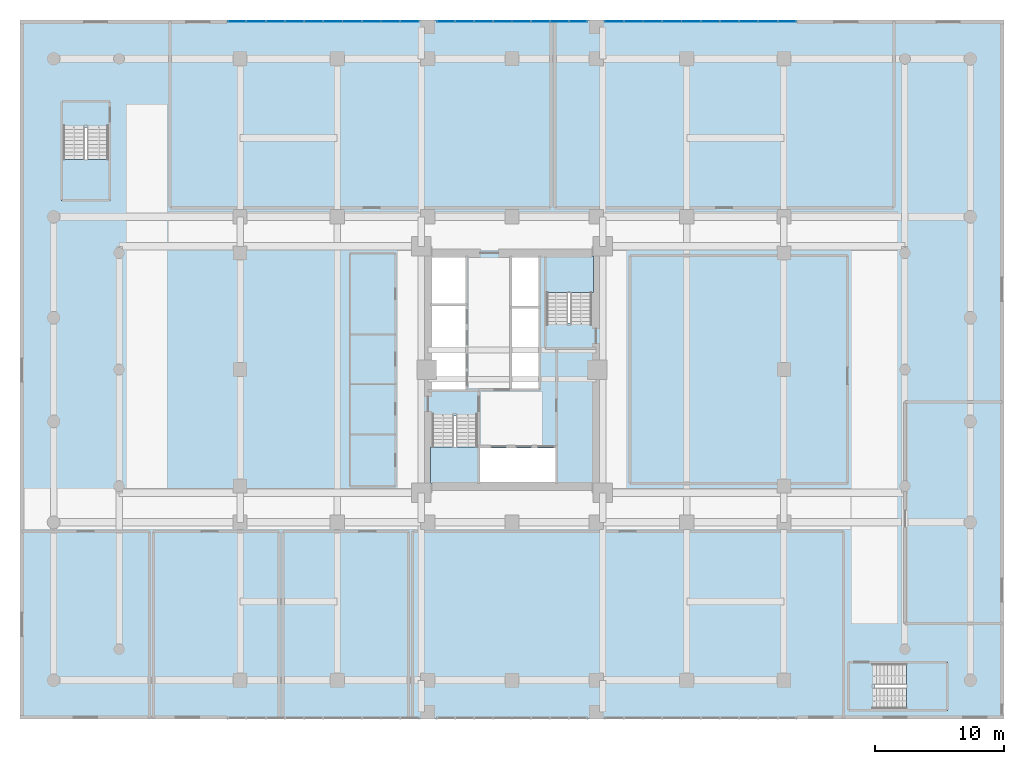
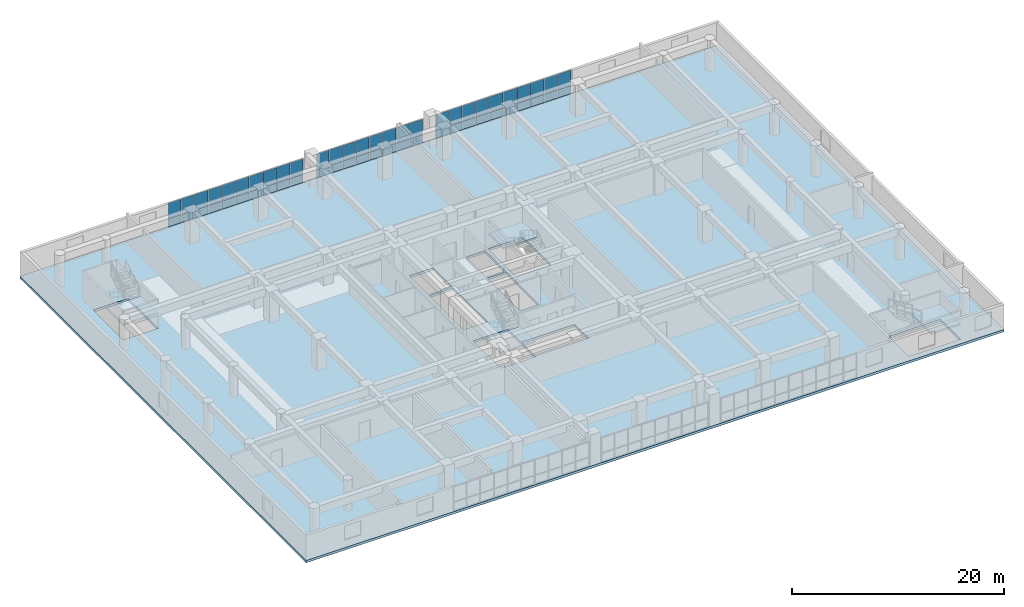
# One storey, part 17 of 30: 56 plates, 5 slabs, 7 elements without a shape of their own.
"""IFC4 building model written with IfcOpenShell, lengths in metres."""

from ifc_helpers import new_model, si_unit, direction, frame, origin, origin_2d, place, context, subcontext, project, spatial, polyline, rectangle, outline, extrude, source, transform, mapped, material, layer, layer_set, type_object, element, aggregate, save


model = new_model("IFC4")

# Units and contexts
model_context = context("Model", 3, precision=1e-05, world=origin(), true_north=direction((0.0, 1.0)))
body_context = subcontext(model_context, "Body", "Model", "MODEL_VIEW")
ifc_project = project(units=[si_unit("LENGTHUNIT", "METRE"), si_unit("AREAUNIT", "SQUARE_METRE"), si_unit("VOLUMEUNIT", "CUBIC_METRE"), si_unit("PLANEANGLEUNIT", "RADIAN"), si_unit("MASSUNIT", "GRAM", prefix="KILO")], contexts=[model_context])

# Site, building, storey
site_placement = place(None, origin())
site = spatial("IfcSite", under=ifc_project, at=site_placement, CompositionType="ELEMENT")
building_placement = place(site_placement, origin())
building = spatial("IfcBuilding", under=site, at=building_placement, Name="Saelheon Loggia Tower", CompositionType="ELEMENT")
storey_placement = place(building_placement, frame((0.0, 0.0, 7.800048828125)))
storey = spatial("IfcBuildingStorey", under=building, at=storey_placement, Name="L02", CompositionType="ELEMENT", Elevation=7.800048828125)

# Slab
ifc_material_1 = material(Name="Concrete C40/50", Category="concrete")
ifc_layer_1 = layer(ifc_material_1, 0.280029296875)
ifc_layer_set_1 = layer_set([ifc_layer_1], Name="Concrete C40/50")
slab_type_1 = type_object("IfcSlabType", Name="Slab_Podium_280", PredefinedType="FLOOR", material=ifc_layer_set_1)
slab_1_placement = place(storey_placement, frame((0.0, 0.0, -0.280029296875)))
element("IfcSlab", 1, at=slab_1_placement, inside=storey, type_object=slab_type_1, Name="L02 Podium Clinic Floor Slab", PredefinedType="FLOOR", context=body_context, shape_type="SweptSolid", body=[
    extrude(outline(polyline([(0.0, 0.0), (76.0, 0.0), (76.0, 54.0), (0.0, 54.0), (0.0, 0.0)]), holes=[polyline([(31.699951171875, 23.409912109375), (31.699951171875, 18.199951171875), (35.47998046875, 18.199951171875), (35.47998046875, 23.409912109375), (31.699951171875, 23.409912109375)]), polyline([(44.300048828125, 30.590087890625), (44.300048828125, 35.800048828125), (40.52001953125, 35.800048828125), (40.52001953125, 30.590087890625), (44.300048828125, 30.590087890625)]), polyline([(3.199951171875, 45.7099609375), (3.199951171875, 40.050048828125), (6.97998046875, 40.050048828125), (6.97998046875, 45.7099609375), (3.199951171875, 45.7099609375)]), polyline([(65.989990234375, 0.64990234375), (71.64990234375, 0.64990234375), (71.64990234375, 4.429931640625), (65.989990234375, 4.429931640625), (65.989990234375, 0.64990234375)]), polyline([(35.530029296875, 18.324951171875), (41.35009765625, 18.324951171875), (41.35009765625, 20.9599609375), (35.530029296875, 20.9599609375), (35.530029296875, 18.324951171875)]), polyline([(31.824951171875, 32.1201171875), (34.419921875, 32.1201171875), (34.419921875, 35.675048828125), (31.824951171875, 35.675048828125), (31.824951171875, 32.1201171875)]), polyline([(38.0, 31.89990234375), (40.050048828125, 31.89990234375), (40.050048828125, 35.675048828125), (38.0, 35.675048828125), (38.0, 31.89990234375)]), polyline([(31.824951171875, 25.449951171875), (34.419921875, 25.449951171875), (34.419921875, 31.919921875), (31.824951171875, 31.919921875), (31.824951171875, 25.449951171875)]), polyline([(38.0, 25.5400390625), (40.050048828125, 25.5400390625), (40.050048828125, 31.699951171875), (38.0, 31.699951171875), (38.0, 25.5400390625)])]), origin(), (0.0, 0.0, 1.0), 0.280029296875),
])

# Stair, slab
stair_type_1 = type_object("IfcStairType", Name="Stair_Escape_Core", PredefinedType="HALF_TURN_STAIR", material=ifc_material_1)
stair_1_placement = place(storey_placement, origin())
stair_1 = element("IfcStair", 2, at=stair_1_placement, inside=storey, type_object=stair_type_1, Name="L02 Special Escape Stair ST1", PredefinedType="HALF_TURN_STAIR")
ifc_layer_2 = layer(ifc_material_1, 0.199951171875)
ifc_layer_set_2 = layer_set([ifc_layer_2], Name="Concrete C40/50")
slab_type_2 = type_object("IfcSlabType", Name="Slab_StairLanding_ST1", PredefinedType="LANDING", material=ifc_layer_set_2)
slab_2_placement = place(storey_placement, frame((0.0, 0.0, 1.599853515625)))
slab_2 = element("IfcSlab", 3, at=slab_2_placement, type_object=slab_type_2, Name="ST1 landing 1", PredefinedType="LANDING", context=body_context, shape_type="SweptSolid", body=[
    extrude(outline(polyline([(31.7099609375, 21.030029296875), (31.7099609375, 18.2099609375), (35.469970703125, 18.2099609375), (35.469970703125, 21.030029296875), (31.7099609375, 21.030029296875)])), origin(), (0.0, 0.0, 1.0), 0.2001953125),
])
aggregate(stair_1, [slab_2])

stair_2_placement = place(storey_placement, origin())
stair_2 = element("IfcStair", 4, at=stair_2_placement, inside=storey, type_object=stair_type_1, Name="L02 Special Escape Stair ST2", PredefinedType="HALF_TURN_STAIR")
ifc_layer_3 = layer(ifc_material_1, 0.199951171875)
ifc_layer_set_3 = layer_set([ifc_layer_3], Name="Concrete C40/50")
slab_type_3 = type_object("IfcSlabType", Name="Slab_StairLanding_ST2", PredefinedType="LANDING", material=ifc_layer_set_3)
slab_3_placement = place(storey_placement, frame((0.0, 0.0, 1.599853515625)))
slab_3 = element("IfcSlab", 5, at=slab_3_placement, type_object=slab_type_3, Name="ST2 landing 1", PredefinedType="LANDING", context=body_context, shape_type="SweptSolid", body=[
    extrude(outline(polyline([(44.2900390625, 32.969970703125), (44.2900390625, 35.7900390625), (40.530029296875, 35.7900390625), (40.530029296875, 32.969970703125), (44.2900390625, 32.969970703125)])), origin(), (0.0, 0.0, 1.0), 0.2001953125),
])
aggregate(stair_2, [slab_3])

stair_type_2 = type_object("IfcStairType", Name="Stair_Escape_Podium", PredefinedType="HALF_TURN_STAIR", material=ifc_material_1)
stair_3_placement = place(storey_placement, origin())
stair_3 = element("IfcStair", 6, at=stair_3_placement, inside=storey, type_object=stair_type_2, Name="L02 Podium Escape Stair ST3", PredefinedType="HALF_TURN_STAIR")
ifc_layer_4 = layer(ifc_material_1, 0.199951171875)
ifc_layer_set_4 = layer_set([ifc_layer_4], Name="Concrete C40/50")
slab_type_4 = type_object("IfcSlabType", Name="Slab_StairLanding_ST3", PredefinedType="LANDING", material=ifc_layer_set_4)
slab_4_placement = place(storey_placement, frame((0.0, 0.0, 1.599853515625)))
slab_4 = element("IfcSlab", 7, at=slab_4_placement, type_object=slab_type_4, Name="ST3 landing 1", PredefinedType="LANDING", context=body_context, shape_type="SweptSolid", body=[
    extrude(outline(polyline([(3.2099609375, 43.239990234375), (3.2099609375, 40.06005859375), (6.969970703125, 40.06005859375), (6.969970703125, 43.239990234375), (3.2099609375, 43.239990234375)])), origin(), (0.0, 0.0, 1.0), 0.2001953125),
])
aggregate(stair_3, [slab_4])

stair_4_placement = place(storey_placement, origin())
stair_4 = element("IfcStair", 8, at=stair_4_placement, inside=storey, type_object=stair_type_2, Name="L02 Podium Escape Stair ST4", PredefinedType="HALF_TURN_STAIR")
ifc_layer_5 = layer(ifc_material_1, 0.199951171875)
ifc_layer_set_5 = layer_set([ifc_layer_5], Name="Concrete C40/50")
slab_type_5 = type_object("IfcSlabType", Name="Slab_StairLanding_ST4", PredefinedType="LANDING", material=ifc_layer_set_5)
slab_5_placement = place(storey_placement, frame((0.0, 0.0, 1.599853515625)))
slab_5 = element("IfcSlab", 9, at=slab_5_placement, type_object=slab_type_5, Name="ST4 landing 1", PredefinedType="LANDING", context=body_context, shape_type="SweptSolid", body=[
    extrude(outline(polyline([(68.4599609375, 0.659912109375), (71.639892578125, 0.659912109375), (71.639892578125, 4.419921875), (68.4599609375, 4.419921875), (68.4599609375, 0.659912109375)])), origin(), (0.0, 0.0, 1.0), 0.2001953125),
])
aggregate(stair_4, [slab_5])

# Curtain wall, plates
ifc_material_2 = material(Name="Aluminium 6063-T6 and Low-E IGU", Category="aluminium")
ifc_layer_6 = layer(ifc_material_2, 0.179931640625)
ifc_layer_set_6 = layer_set([ifc_layer_6], Name="Aluminium 6063-T6 and Low-E IGU")
curtain_wall_type = type_object("IfcCurtainWallType", Name="CW_PodiumClinic", PredefinedType="NOTDEFINED", material=ifc_layer_set_6)
curtain_wall_1_placement = place(storey_placement, origin())
curtain_wall_1 = element("IfcCurtainWall", 10, at=curtain_wall_1_placement, inside=storey, type_object=curtain_wall_type, Name="L02 North Clinic Curtain Wall 1", PredefinedType="NOTDEFINED")
ifc_material_3 = material(Name="Triple Low-E Laminated Glazing", Category="glass")
ifc_layer_7 = layer(ifc_material_3, 0.031982421875)
ifc_layer_set_7 = layer_set([ifc_layer_7], Name="Triple Low-E Laminated Glazing")
plate_type = type_object("IfcPlateType", Name="CW_PodiumClinic_Panel", PredefinedType="CURTAIN_PANEL", material=ifc_layer_set_7)
shared_shape_1 = source(origin(), body_context, "Body", "SweptSolid", [
    extrude(rectangle(XDim=1.3798828125, YDim=0.031982421875, at=origin_2d()), origin(), (0.0, 0.0, 1.0), 0.945068359375),
])
plate_1_placement = place(storey_placement, frame((16.760009765625, 53.89990234375, 0.06982421875), z_axis=(0.0, 0.0, 1.0), x_axis=(1.0, 0.0, 0.0)))
plate_1 = element("IfcPlate", 11, at=plate_1_placement, type_object=plate_type, Name="CW1 panel 1.1", PredefinedType="CURTAIN_PANEL", context=body_context, shape_type="MappedRepresentation", body=[
    mapped(shared_shape_1, transform((0.0, 0.0, 0.0), scale=1.0)),
])
plate_2_placement = place(storey_placement, frame((30.090087890625, 53.89990234375, 0.06982421875), z_axis=(0.0, 0.0, 1.0), x_axis=(1.0, 0.0, 0.0)))
plate_2 = element("IfcPlate", 12, at=plate_2_placement, type_object=plate_type, Name="CW1 panel 10.1", PredefinedType="CURTAIN_PANEL", context=body_context, shape_type="MappedRepresentation", body=[
    mapped(shared_shape_1, transform((0.0, 0.0, 0.0), scale=1.0)),
])

curtain_wall_2_placement = place(storey_placement, origin())
curtain_wall_2 = element("IfcCurtainWall", 13, at=curtain_wall_2_placement, inside=storey, type_object=curtain_wall_type, Name="L02 North Clinic Curtain Wall 3", PredefinedType="NOTDEFINED")
plate_3_placement = place(storey_placement, frame((45.909912109375, 53.89990234375, 0.06982421875), z_axis=(0.0, 0.0, 1.0), x_axis=(1.0, 0.0, 0.0)))
plate_3 = element("IfcPlate", 14, at=plate_3_placement, type_object=plate_type, Name="CW1 panel 1.1", PredefinedType="CURTAIN_PANEL", context=body_context, shape_type="MappedRepresentation", body=[
    mapped(shared_shape_1, transform((0.0, 0.0, 0.0), scale=1.0)),
])
plate_4_placement = place(storey_placement, frame((59.239990234375, 53.89990234375, 0.06982421875), z_axis=(0.0, 0.0, 1.0), x_axis=(1.0, 0.0, 0.0)))
plate_4 = element("IfcPlate", 15, at=plate_4_placement, type_object=plate_type, Name="CW1 panel 10.1", PredefinedType="CURTAIN_PANEL", context=body_context, shape_type="MappedRepresentation", body=[
    mapped(shared_shape_1, transform((0.0, 0.0, 0.0), scale=1.0)),
])

# Plate
shared_shape_2 = source(origin(), body_context, "Body", "SweptSolid", [
    extrude(rectangle(XDim=1.3798828125, YDim=0.031982421875, at=origin_2d()), origin(), (0.0, 0.0, 1.0), 1.72509765625),
])
plate_5_placement = place(storey_placement, frame((16.760009765625, 53.89990234375, 1.0849609375), z_axis=(0.0, 0.0, 1.0), x_axis=(1.0, 0.0, 0.0)))
plate_5 = element("IfcPlate", 16, at=plate_5_placement, type_object=plate_type, Name="CW1 panel 1.2", PredefinedType="CURTAIN_PANEL", context=body_context, shape_type="MappedRepresentation", body=[
    mapped(shared_shape_2, transform((0.0, 0.0, 0.0), scale=1.0)),
])

plate_6_placement = place(storey_placement, frame((30.090087890625, 53.89990234375, 1.0849609375), z_axis=(0.0, 0.0, 1.0), x_axis=(1.0, 0.0, 0.0)))
plate_6 = element("IfcPlate", 17, at=plate_6_placement, type_object=plate_type, Name="CW1 panel 10.2", PredefinedType="CURTAIN_PANEL", context=body_context, shape_type="MappedRepresentation", body=[
    mapped(shared_shape_2, transform((0.0, 0.0, 0.0), scale=1.0)),
])

plate_7_placement = place(storey_placement, frame((45.909912109375, 53.89990234375, 1.0849609375), z_axis=(0.0, 0.0, 1.0), x_axis=(1.0, 0.0, 0.0)))
plate_7 = element("IfcPlate", 18, at=plate_7_placement, type_object=plate_type, Name="CW1 panel 1.2", PredefinedType="CURTAIN_PANEL", context=body_context, shape_type="MappedRepresentation", body=[
    mapped(shared_shape_2, transform((0.0, 0.0, 0.0), scale=1.0)),
])

plate_8_placement = place(storey_placement, frame((59.239990234375, 53.89990234375, 1.0849609375), z_axis=(0.0, 0.0, 1.0), x_axis=(1.0, 0.0, 0.0)))
plate_8 = element("IfcPlate", 19, at=plate_8_placement, type_object=plate_type, Name="CW1 panel 10.2", PredefinedType="CURTAIN_PANEL", context=body_context, shape_type="MappedRepresentation", body=[
    mapped(shared_shape_2, transform((0.0, 0.0, 0.0), scale=1.0)),
])

shared_shape_3 = source(origin(), body_context, "Body", "SweptSolid", [
    extrude(rectangle(XDim=1.4150390625, YDim=0.031982421875, at=origin_2d()), origin(), (0.0, 0.0, 1.0), 0.945068359375),
])
plate_9_placement = place(storey_placement, frame((18.2275390625, 53.89990234375, 0.06982421875), z_axis=(0.0, 0.0, 1.0), x_axis=(1.0, 0.0, 0.0)))
plate_9 = element("IfcPlate", 20, at=plate_9_placement, type_object=plate_type, Name="CW1 panel 2.1", PredefinedType="CURTAIN_PANEL", context=body_context, shape_type="MappedRepresentation", body=[
    mapped(shared_shape_3, transform((0.0, 0.0, 0.0), scale=1.0)),
])

plate_10_placement = place(storey_placement, frame((19.71240234375, 53.89990234375, 0.06982421875), z_axis=(0.0, 0.0, 1.0), x_axis=(1.0, 0.0, 0.0)))
plate_10 = element("IfcPlate", 21, at=plate_10_placement, type_object=plate_type, Name="CW1 panel 3.1", PredefinedType="CURTAIN_PANEL", context=body_context, shape_type="MappedRepresentation", body=[
    mapped(shared_shape_3, transform((0.0, 0.0, 0.0), scale=1.0)),
])

plate_11_placement = place(storey_placement, frame((21.197509765625, 53.89990234375, 0.06982421875), z_axis=(0.0, 0.0, 1.0), x_axis=(1.0, 0.0, 0.0)))
plate_11 = element("IfcPlate", 22, at=plate_11_placement, type_object=plate_type, Name="CW1 panel 4.1", PredefinedType="CURTAIN_PANEL", context=body_context, shape_type="MappedRepresentation", body=[
    mapped(shared_shape_3, transform((0.0, 0.0, 0.0), scale=1.0)),
])

plate_12_placement = place(storey_placement, frame((22.6826171875, 53.89990234375, 0.06982421875), z_axis=(0.0, 0.0, 1.0), x_axis=(1.0, 0.0, 0.0)))
plate_12 = element("IfcPlate", 23, at=plate_12_placement, type_object=plate_type, Name="CW1 panel 5.1", PredefinedType="CURTAIN_PANEL", context=body_context, shape_type="MappedRepresentation", body=[
    mapped(shared_shape_3, transform((0.0, 0.0, 0.0), scale=1.0)),
])

plate_13_placement = place(storey_placement, frame((24.16748046875, 53.89990234375, 0.06982421875), z_axis=(0.0, 0.0, 1.0), x_axis=(1.0, 0.0, 0.0)))
plate_13 = element("IfcPlate", 24, at=plate_13_placement, type_object=plate_type, Name="CW1 panel 6.1", PredefinedType="CURTAIN_PANEL", context=body_context, shape_type="MappedRepresentation", body=[
    mapped(shared_shape_3, transform((0.0, 0.0, 0.0), scale=1.0)),
])

plate_14_placement = place(storey_placement, frame((25.652587890625, 53.89990234375, 0.06982421875), z_axis=(0.0, 0.0, 1.0), x_axis=(1.0, 0.0, 0.0)))
plate_14 = element("IfcPlate", 25, at=plate_14_placement, type_object=plate_type, Name="CW1 panel 7.1", PredefinedType="CURTAIN_PANEL", context=body_context, shape_type="MappedRepresentation", body=[
    mapped(shared_shape_3, transform((0.0, 0.0, 0.0), scale=1.0)),
])

plate_15_placement = place(storey_placement, frame((27.137451171875, 53.89990234375, 0.06982421875), z_axis=(0.0, 0.0, 1.0), x_axis=(1.0, 0.0, 0.0)))
plate_15 = element("IfcPlate", 26, at=plate_15_placement, type_object=plate_type, Name="CW1 panel 8.1", PredefinedType="CURTAIN_PANEL", context=body_context, shape_type="MappedRepresentation", body=[
    mapped(shared_shape_3, transform((0.0, 0.0, 0.0), scale=1.0)),
])

plate_16_placement = place(storey_placement, frame((28.62255859375, 53.89990234375, 0.06982421875), z_axis=(0.0, 0.0, 1.0), x_axis=(1.0, 0.0, 0.0)))
plate_16 = element("IfcPlate", 27, at=plate_16_placement, type_object=plate_type, Name="CW1 panel 9.1", PredefinedType="CURTAIN_PANEL", context=body_context, shape_type="MappedRepresentation", body=[
    mapped(shared_shape_3, transform((0.0, 0.0, 0.0), scale=1.0)),
])

plate_17_placement = place(storey_placement, frame((47.37744140625, 53.89990234375, 0.06982421875), z_axis=(0.0, 0.0, 1.0), x_axis=(1.0, 0.0, 0.0)))
plate_17 = element("IfcPlate", 28, at=plate_17_placement, type_object=plate_type, Name="CW1 panel 2.1", PredefinedType="CURTAIN_PANEL", context=body_context, shape_type="MappedRepresentation", body=[
    mapped(shared_shape_3, transform((0.0, 0.0, 0.0), scale=1.0)),
])

plate_18_placement = place(storey_placement, frame((48.862548828125, 53.89990234375, 0.06982421875), z_axis=(0.0, 0.0, 1.0), x_axis=(1.0, 0.0, 0.0)))
plate_18 = element("IfcPlate", 29, at=plate_18_placement, type_object=plate_type, Name="CW1 panel 3.1", PredefinedType="CURTAIN_PANEL", context=body_context, shape_type="MappedRepresentation", body=[
    mapped(shared_shape_3, transform((0.0, 0.0, 0.0), scale=1.0)),
])

plate_19_placement = place(storey_placement, frame((50.347412109375, 53.89990234375, 0.06982421875), z_axis=(0.0, 0.0, 1.0), x_axis=(1.0, 0.0, 0.0)))
plate_19 = element("IfcPlate", 30, at=plate_19_placement, type_object=plate_type, Name="CW1 panel 4.1", PredefinedType="CURTAIN_PANEL", context=body_context, shape_type="MappedRepresentation", body=[
    mapped(shared_shape_3, transform((0.0, 0.0, 0.0), scale=1.0)),
])

plate_20_placement = place(storey_placement, frame((51.83251953125, 53.89990234375, 0.06982421875), z_axis=(0.0, 0.0, 1.0), x_axis=(1.0, 0.0, 0.0)))
plate_20 = element("IfcPlate", 31, at=plate_20_placement, type_object=plate_type, Name="CW1 panel 5.1", PredefinedType="CURTAIN_PANEL", context=body_context, shape_type="MappedRepresentation", body=[
    mapped(shared_shape_3, transform((0.0, 0.0, 0.0), scale=1.0)),
])

plate_21_placement = place(storey_placement, frame((53.3173828125, 53.89990234375, 0.06982421875), z_axis=(0.0, 0.0, 1.0), x_axis=(1.0, 0.0, 0.0)))
plate_21 = element("IfcPlate", 32, at=plate_21_placement, type_object=plate_type, Name="CW1 panel 6.1", PredefinedType="CURTAIN_PANEL", context=body_context, shape_type="MappedRepresentation", body=[
    mapped(shared_shape_3, transform((0.0, 0.0, 0.0), scale=1.0)),
])

plate_22_placement = place(storey_placement, frame((54.802490234375, 53.89990234375, 0.06982421875), z_axis=(0.0, 0.0, 1.0), x_axis=(1.0, 0.0, 0.0)))
plate_22 = element("IfcPlate", 33, at=plate_22_placement, type_object=plate_type, Name="CW1 panel 7.1", PredefinedType="CURTAIN_PANEL", context=body_context, shape_type="MappedRepresentation", body=[
    mapped(shared_shape_3, transform((0.0, 0.0, 0.0), scale=1.0)),
])

plate_23_placement = place(storey_placement, frame((56.28759765625, 53.89990234375, 0.06982421875), z_axis=(0.0, 0.0, 1.0), x_axis=(1.0, 0.0, 0.0)))
plate_23 = element("IfcPlate", 34, at=plate_23_placement, type_object=plate_type, Name="CW1 panel 8.1", PredefinedType="CURTAIN_PANEL", context=body_context, shape_type="MappedRepresentation", body=[
    mapped(shared_shape_3, transform((0.0, 0.0, 0.0), scale=1.0)),
])

plate_24_placement = place(storey_placement, frame((57.7724609375, 53.89990234375, 0.06982421875), z_axis=(0.0, 0.0, 1.0), x_axis=(1.0, 0.0, 0.0)))
plate_24 = element("IfcPlate", 35, at=plate_24_placement, type_object=plate_type, Name="CW1 panel 9.1", PredefinedType="CURTAIN_PANEL", context=body_context, shape_type="MappedRepresentation", body=[
    mapped(shared_shape_3, transform((0.0, 0.0, 0.0), scale=1.0)),
])

shared_shape_4 = source(origin(), body_context, "Body", "SweptSolid", [
    extrude(rectangle(XDim=1.4150390625, YDim=0.031982421875, at=origin_2d()), origin(), (0.0, 0.0, 1.0), 1.72509765625),
])
plate_25_placement = place(storey_placement, frame((18.2275390625, 53.89990234375, 1.0849609375), z_axis=(0.0, 0.0, 1.0), x_axis=(1.0, 0.0, 0.0)))
plate_25 = element("IfcPlate", 36, at=plate_25_placement, type_object=plate_type, Name="CW1 panel 2.2", PredefinedType="CURTAIN_PANEL", context=body_context, shape_type="MappedRepresentation", body=[
    mapped(shared_shape_4, transform((0.0, 0.0, 0.0), scale=1.0)),
])

plate_26_placement = place(storey_placement, frame((19.71240234375, 53.89990234375, 1.0849609375), z_axis=(0.0, 0.0, 1.0), x_axis=(1.0, 0.0, 0.0)))
plate_26 = element("IfcPlate", 37, at=plate_26_placement, type_object=plate_type, Name="CW1 panel 3.2", PredefinedType="CURTAIN_PANEL", context=body_context, shape_type="MappedRepresentation", body=[
    mapped(shared_shape_4, transform((0.0, 0.0, 0.0), scale=1.0)),
])

plate_27_placement = place(storey_placement, frame((21.197509765625, 53.89990234375, 1.0849609375), z_axis=(0.0, 0.0, 1.0), x_axis=(1.0, 0.0, 0.0)))
plate_27 = element("IfcPlate", 38, at=plate_27_placement, type_object=plate_type, Name="CW1 panel 4.2", PredefinedType="CURTAIN_PANEL", context=body_context, shape_type="MappedRepresentation", body=[
    mapped(shared_shape_4, transform((0.0, 0.0, 0.0), scale=1.0)),
])

plate_28_placement = place(storey_placement, frame((22.6826171875, 53.89990234375, 1.0849609375), z_axis=(0.0, 0.0, 1.0), x_axis=(1.0, 0.0, 0.0)))
plate_28 = element("IfcPlate", 39, at=plate_28_placement, type_object=plate_type, Name="CW1 panel 5.2", PredefinedType="CURTAIN_PANEL", context=body_context, shape_type="MappedRepresentation", body=[
    mapped(shared_shape_4, transform((0.0, 0.0, 0.0), scale=1.0)),
])

plate_29_placement = place(storey_placement, frame((24.16748046875, 53.89990234375, 1.0849609375), z_axis=(0.0, 0.0, 1.0), x_axis=(1.0, 0.0, 0.0)))
plate_29 = element("IfcPlate", 40, at=plate_29_placement, type_object=plate_type, Name="CW1 panel 6.2", PredefinedType="CURTAIN_PANEL", context=body_context, shape_type="MappedRepresentation", body=[
    mapped(shared_shape_4, transform((0.0, 0.0, 0.0), scale=1.0)),
])

plate_30_placement = place(storey_placement, frame((25.652587890625, 53.89990234375, 1.0849609375), z_axis=(0.0, 0.0, 1.0), x_axis=(1.0, 0.0, 0.0)))
plate_30 = element("IfcPlate", 41, at=plate_30_placement, type_object=plate_type, Name="CW1 panel 7.2", PredefinedType="CURTAIN_PANEL", context=body_context, shape_type="MappedRepresentation", body=[
    mapped(shared_shape_4, transform((0.0, 0.0, 0.0), scale=1.0)),
])

plate_31_placement = place(storey_placement, frame((27.137451171875, 53.89990234375, 1.0849609375), z_axis=(0.0, 0.0, 1.0), x_axis=(1.0, 0.0, 0.0)))
plate_31 = element("IfcPlate", 42, at=plate_31_placement, type_object=plate_type, Name="CW1 panel 8.2", PredefinedType="CURTAIN_PANEL", context=body_context, shape_type="MappedRepresentation", body=[
    mapped(shared_shape_4, transform((0.0, 0.0, 0.0), scale=1.0)),
])

plate_32_placement = place(storey_placement, frame((28.62255859375, 53.89990234375, 1.0849609375), z_axis=(0.0, 0.0, 1.0), x_axis=(1.0, 0.0, 0.0)))
plate_32 = element("IfcPlate", 43, at=plate_32_placement, type_object=plate_type, Name="CW1 panel 9.2", PredefinedType="CURTAIN_PANEL", context=body_context, shape_type="MappedRepresentation", body=[
    mapped(shared_shape_4, transform((0.0, 0.0, 0.0), scale=1.0)),
])

aggregate(curtain_wall_1, [plate_1, plate_5, plate_9, plate_25, plate_10, plate_26, plate_11, plate_27, plate_12, plate_28, plate_13, plate_29, plate_14, plate_30, plate_15, plate_31, plate_16, plate_32, plate_2, plate_6])

plate_33_placement = place(storey_placement, frame((47.37744140625, 53.89990234375, 1.0849609375), z_axis=(0.0, 0.0, 1.0), x_axis=(1.0, 0.0, 0.0)))
plate_33 = element("IfcPlate", 44, at=plate_33_placement, type_object=plate_type, Name="CW1 panel 2.2", PredefinedType="CURTAIN_PANEL", context=body_context, shape_type="MappedRepresentation", body=[
    mapped(shared_shape_4, transform((0.0, 0.0, 0.0), scale=1.0)),
])

plate_34_placement = place(storey_placement, frame((48.862548828125, 53.89990234375, 1.0849609375), z_axis=(0.0, 0.0, 1.0), x_axis=(1.0, 0.0, 0.0)))
plate_34 = element("IfcPlate", 45, at=plate_34_placement, type_object=plate_type, Name="CW1 panel 3.2", PredefinedType="CURTAIN_PANEL", context=body_context, shape_type="MappedRepresentation", body=[
    mapped(shared_shape_4, transform((0.0, 0.0, 0.0), scale=1.0)),
])

plate_35_placement = place(storey_placement, frame((50.347412109375, 53.89990234375, 1.0849609375), z_axis=(0.0, 0.0, 1.0), x_axis=(1.0, 0.0, 0.0)))
plate_35 = element("IfcPlate", 46, at=plate_35_placement, type_object=plate_type, Name="CW1 panel 4.2", PredefinedType="CURTAIN_PANEL", context=body_context, shape_type="MappedRepresentation", body=[
    mapped(shared_shape_4, transform((0.0, 0.0, 0.0), scale=1.0)),
])

plate_36_placement = place(storey_placement, frame((51.83251953125, 53.89990234375, 1.0849609375), z_axis=(0.0, 0.0, 1.0), x_axis=(1.0, 0.0, 0.0)))
plate_36 = element("IfcPlate", 47, at=plate_36_placement, type_object=plate_type, Name="CW1 panel 5.2", PredefinedType="CURTAIN_PANEL", context=body_context, shape_type="MappedRepresentation", body=[
    mapped(shared_shape_4, transform((0.0, 0.0, 0.0), scale=1.0)),
])

plate_37_placement = place(storey_placement, frame((53.3173828125, 53.89990234375, 1.0849609375), z_axis=(0.0, 0.0, 1.0), x_axis=(1.0, 0.0, 0.0)))
plate_37 = element("IfcPlate", 48, at=plate_37_placement, type_object=plate_type, Name="CW1 panel 6.2", PredefinedType="CURTAIN_PANEL", context=body_context, shape_type="MappedRepresentation", body=[
    mapped(shared_shape_4, transform((0.0, 0.0, 0.0), scale=1.0)),
])

plate_38_placement = place(storey_placement, frame((54.802490234375, 53.89990234375, 1.0849609375), z_axis=(0.0, 0.0, 1.0), x_axis=(1.0, 0.0, 0.0)))
plate_38 = element("IfcPlate", 49, at=plate_38_placement, type_object=plate_type, Name="CW1 panel 7.2", PredefinedType="CURTAIN_PANEL", context=body_context, shape_type="MappedRepresentation", body=[
    mapped(shared_shape_4, transform((0.0, 0.0, 0.0), scale=1.0)),
])

plate_39_placement = place(storey_placement, frame((56.28759765625, 53.89990234375, 1.0849609375), z_axis=(0.0, 0.0, 1.0), x_axis=(1.0, 0.0, 0.0)))
plate_39 = element("IfcPlate", 50, at=plate_39_placement, type_object=plate_type, Name="CW1 panel 8.2", PredefinedType="CURTAIN_PANEL", context=body_context, shape_type="MappedRepresentation", body=[
    mapped(shared_shape_4, transform((0.0, 0.0, 0.0), scale=1.0)),
])

plate_40_placement = place(storey_placement, frame((57.7724609375, 53.89990234375, 1.0849609375), z_axis=(0.0, 0.0, 1.0), x_axis=(1.0, 0.0, 0.0)))
plate_40 = element("IfcPlate", 51, at=plate_40_placement, type_object=plate_type, Name="CW1 panel 9.2", PredefinedType="CURTAIN_PANEL", context=body_context, shape_type="MappedRepresentation", body=[
    mapped(shared_shape_4, transform((0.0, 0.0, 0.0), scale=1.0)),
])

aggregate(curtain_wall_2, [plate_3, plate_7, plate_17, plate_33, plate_18, plate_34, plate_19, plate_35, plate_20, plate_36, plate_21, plate_37, plate_22, plate_38, plate_23, plate_39, plate_24, plate_40, plate_4, plate_8])

# Curtain wall, plates
curtain_wall_3_placement = place(storey_placement, origin())
curtain_wall_3 = element("IfcCurtainWall", 52, at=curtain_wall_3_placement, inside=storey, type_object=curtain_wall_type, Name="L02 North Clinic Curtain Wall 2", PredefinedType="NOTDEFINED")
shared_shape_5 = source(origin(), body_context, "Body", "SweptSolid", [
    extrude(rectangle(XDim=1.357421875, YDim=0.031982421875, at=origin_2d()), origin(), (0.0, 0.0, 1.0), 0.945068359375),
])
plate_41_placement = place(storey_placement, frame((32.898681640625, 53.89990234375, 0.06982421875), z_axis=(0.0, 0.0, 1.0), x_axis=(1.0, 0.0, 0.0)))
plate_41 = element("IfcPlate", 53, at=plate_41_placement, type_object=plate_type, Name="CW1 panel 1.1", PredefinedType="CURTAIN_PANEL", context=body_context, shape_type="MappedRepresentation", body=[
    mapped(shared_shape_5, transform((0.0, 0.0, 0.0), scale=1.0)),
])
plate_42_placement = place(storey_placement, frame((43.101318359375, 53.89990234375, 0.06982421875), z_axis=(0.0, 0.0, 1.0), x_axis=(1.0, 0.0, 0.0)))
plate_42 = element("IfcPlate", 54, at=plate_42_placement, type_object=plate_type, Name="CW1 panel 8.1", PredefinedType="CURTAIN_PANEL", context=body_context, shape_type="MappedRepresentation", body=[
    mapped(shared_shape_5, transform((0.0, 0.0, 0.0), scale=1.0)),
])
shared_shape_6 = source(origin(), body_context, "Body", "SweptSolid", [
    extrude(rectangle(XDim=1.357421875, YDim=0.031982421875, at=origin_2d()), origin(), (0.0, 0.0, 1.0), 1.72509765625),
])
plate_43_placement = place(storey_placement, frame((32.898681640625, 53.89990234375, 1.0849609375), z_axis=(0.0, 0.0, 1.0), x_axis=(1.0, 0.0, 0.0)))
plate_43 = element("IfcPlate", 55, at=plate_43_placement, type_object=plate_type, Name="CW1 panel 1.2", PredefinedType="CURTAIN_PANEL", context=body_context, shape_type="MappedRepresentation", body=[
    mapped(shared_shape_6, transform((0.0, 0.0, 0.0), scale=1.0)),
])
plate_44_placement = place(storey_placement, frame((43.101318359375, 53.89990234375, 1.0849609375), z_axis=(0.0, 0.0, 1.0), x_axis=(1.0, 0.0, 0.0)))
plate_44 = element("IfcPlate", 56, at=plate_44_placement, type_object=plate_type, Name="CW1 panel 8.2", PredefinedType="CURTAIN_PANEL", context=body_context, shape_type="MappedRepresentation", body=[
    mapped(shared_shape_6, transform((0.0, 0.0, 0.0), scale=1.0)),
])
shared_shape_7 = source(origin(), body_context, "Body", "SweptSolid", [
    extrude(rectangle(XDim=1.392578125, YDim=0.031982421875, at=origin_2d()), origin(), (0.0, 0.0, 1.0), 0.945068359375),
])
plate_45_placement = place(storey_placement, frame((34.34375, 53.89990234375, 0.06982421875), z_axis=(0.0, 0.0, 1.0), x_axis=(1.0, 0.0, 0.0)))
plate_45 = element("IfcPlate", 57, at=plate_45_placement, type_object=plate_type, Name="CW1 panel 2.1", PredefinedType="CURTAIN_PANEL", context=body_context, shape_type="MappedRepresentation", body=[
    mapped(shared_shape_7, transform((0.0, 0.0, 0.0), scale=1.0)),
])
plate_46_placement = place(storey_placement, frame((35.80615234375, 53.89990234375, 0.06982421875), z_axis=(0.0, 0.0, 1.0), x_axis=(1.0, 0.0, 0.0)))
plate_46 = element("IfcPlate", 58, at=plate_46_placement, type_object=plate_type, Name="CW1 panel 3.1", PredefinedType="CURTAIN_PANEL", context=body_context, shape_type="MappedRepresentation", body=[
    mapped(shared_shape_7, transform((0.0, 0.0, 0.0), scale=1.0)),
])
plate_47_placement = place(storey_placement, frame((37.268798828125, 53.89990234375, 0.06982421875), z_axis=(0.0, 0.0, 1.0), x_axis=(1.0, 0.0, 0.0)))
plate_47 = element("IfcPlate", 59, at=plate_47_placement, type_object=plate_type, Name="CW1 panel 4.1", PredefinedType="CURTAIN_PANEL", context=body_context, shape_type="MappedRepresentation", body=[
    mapped(shared_shape_7, transform((0.0, 0.0, 0.0), scale=1.0)),
])
plate_48_placement = place(storey_placement, frame((38.731201171875, 53.89990234375, 0.06982421875), z_axis=(0.0, 0.0, 1.0), x_axis=(1.0, 0.0, 0.0)))
plate_48 = element("IfcPlate", 60, at=plate_48_placement, type_object=plate_type, Name="CW1 panel 5.1", PredefinedType="CURTAIN_PANEL", context=body_context, shape_type="MappedRepresentation", body=[
    mapped(shared_shape_7, transform((0.0, 0.0, 0.0), scale=1.0)),
])
plate_49_placement = place(storey_placement, frame((40.19384765625, 53.89990234375, 0.06982421875), z_axis=(0.0, 0.0, 1.0), x_axis=(1.0, 0.0, 0.0)))
plate_49 = element("IfcPlate", 61, at=plate_49_placement, type_object=plate_type, Name="CW1 panel 6.1", PredefinedType="CURTAIN_PANEL", context=body_context, shape_type="MappedRepresentation", body=[
    mapped(shared_shape_7, transform((0.0, 0.0, 0.0), scale=1.0)),
])
plate_50_placement = place(storey_placement, frame((41.65625, 53.89990234375, 0.06982421875), z_axis=(0.0, 0.0, 1.0), x_axis=(1.0, 0.0, 0.0)))
plate_50 = element("IfcPlate", 62, at=plate_50_placement, type_object=plate_type, Name="CW1 panel 7.1", PredefinedType="CURTAIN_PANEL", context=body_context, shape_type="MappedRepresentation", body=[
    mapped(shared_shape_7, transform((0.0, 0.0, 0.0), scale=1.0)),
])
shared_shape_8 = source(origin(), body_context, "Body", "SweptSolid", [
    extrude(rectangle(XDim=1.392578125, YDim=0.031982421875, at=origin_2d()), origin(), (0.0, 0.0, 1.0), 1.72509765625),
])
plate_51_placement = place(storey_placement, frame((34.34375, 53.89990234375, 1.0849609375), z_axis=(0.0, 0.0, 1.0), x_axis=(1.0, 0.0, 0.0)))
plate_51 = element("IfcPlate", 63, at=plate_51_placement, type_object=plate_type, Name="CW1 panel 2.2", PredefinedType="CURTAIN_PANEL", context=body_context, shape_type="MappedRepresentation", body=[
    mapped(shared_shape_8, transform((0.0, 0.0, 0.0), scale=1.0)),
])
plate_52_placement = place(storey_placement, frame((35.80615234375, 53.89990234375, 1.0849609375), z_axis=(0.0, 0.0, 1.0), x_axis=(1.0, 0.0, 0.0)))
plate_52 = element("IfcPlate", 64, at=plate_52_placement, type_object=plate_type, Name="CW1 panel 3.2", PredefinedType="CURTAIN_PANEL", context=body_context, shape_type="MappedRepresentation", body=[
    mapped(shared_shape_8, transform((0.0, 0.0, 0.0), scale=1.0)),
])
plate_53_placement = place(storey_placement, frame((37.268798828125, 53.89990234375, 1.0849609375), z_axis=(0.0, 0.0, 1.0), x_axis=(1.0, 0.0, 0.0)))
plate_53 = element("IfcPlate", 65, at=plate_53_placement, type_object=plate_type, Name="CW1 panel 4.2", PredefinedType="CURTAIN_PANEL", context=body_context, shape_type="MappedRepresentation", body=[
    mapped(shared_shape_8, transform((0.0, 0.0, 0.0), scale=1.0)),
])
plate_54_placement = place(storey_placement, frame((38.731201171875, 53.89990234375, 1.0849609375), z_axis=(0.0, 0.0, 1.0), x_axis=(1.0, 0.0, 0.0)))
plate_54 = element("IfcPlate", 66, at=plate_54_placement, type_object=plate_type, Name="CW1 panel 5.2", PredefinedType="CURTAIN_PANEL", context=body_context, shape_type="MappedRepresentation", body=[
    mapped(shared_shape_8, transform((0.0, 0.0, 0.0), scale=1.0)),
])
plate_55_placement = place(storey_placement, frame((40.19384765625, 53.89990234375, 1.0849609375), z_axis=(0.0, 0.0, 1.0), x_axis=(1.0, 0.0, 0.0)))
plate_55 = element("IfcPlate", 67, at=plate_55_placement, type_object=plate_type, Name="CW1 panel 6.2", PredefinedType="CURTAIN_PANEL", context=body_context, shape_type="MappedRepresentation", body=[
    mapped(shared_shape_8, transform((0.0, 0.0, 0.0), scale=1.0)),
])
plate_56_placement = place(storey_placement, frame((41.65625, 53.89990234375, 1.0849609375), z_axis=(0.0, 0.0, 1.0), x_axis=(1.0, 0.0, 0.0)))
plate_56 = element("IfcPlate", 68, at=plate_56_placement, type_object=plate_type, Name="CW1 panel 7.2", PredefinedType="CURTAIN_PANEL", context=body_context, shape_type="MappedRepresentation", body=[
    mapped(shared_shape_8, transform((0.0, 0.0, 0.0), scale=1.0)),
])
aggregate(curtain_wall_3, [plate_41, plate_43, plate_45, plate_51, plate_46, plate_52, plate_47, plate_53, plate_48, plate_54, plate_49, plate_55, plate_50, plate_56, plate_42, plate_44])

save(model, "model.ifc")
